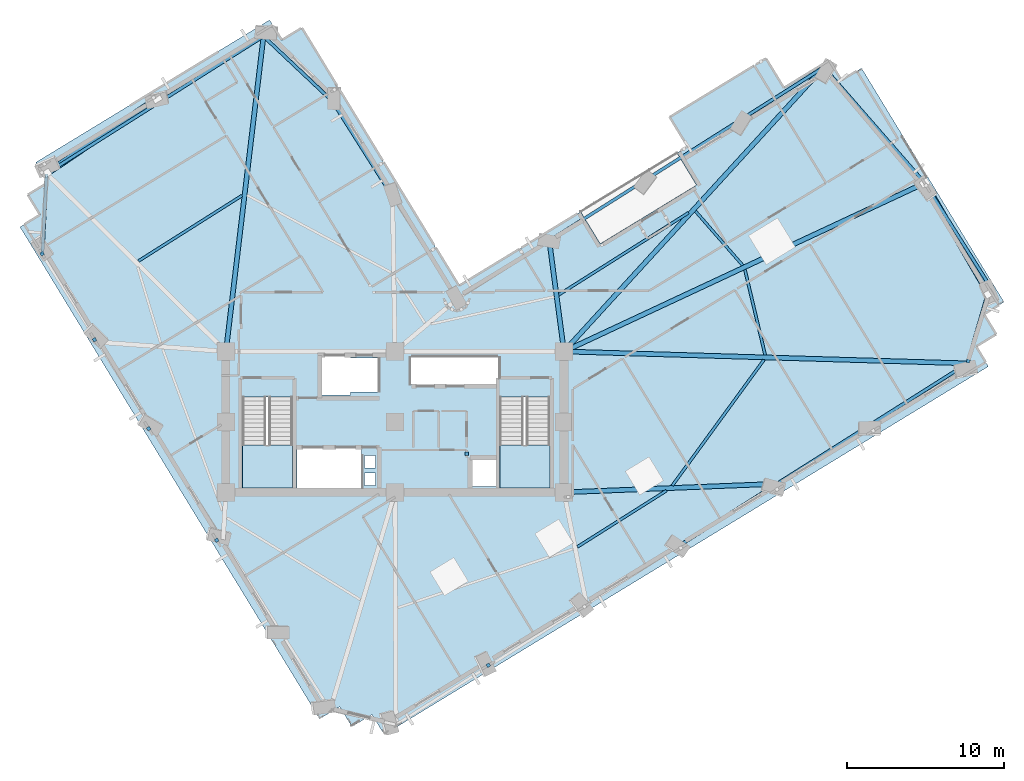
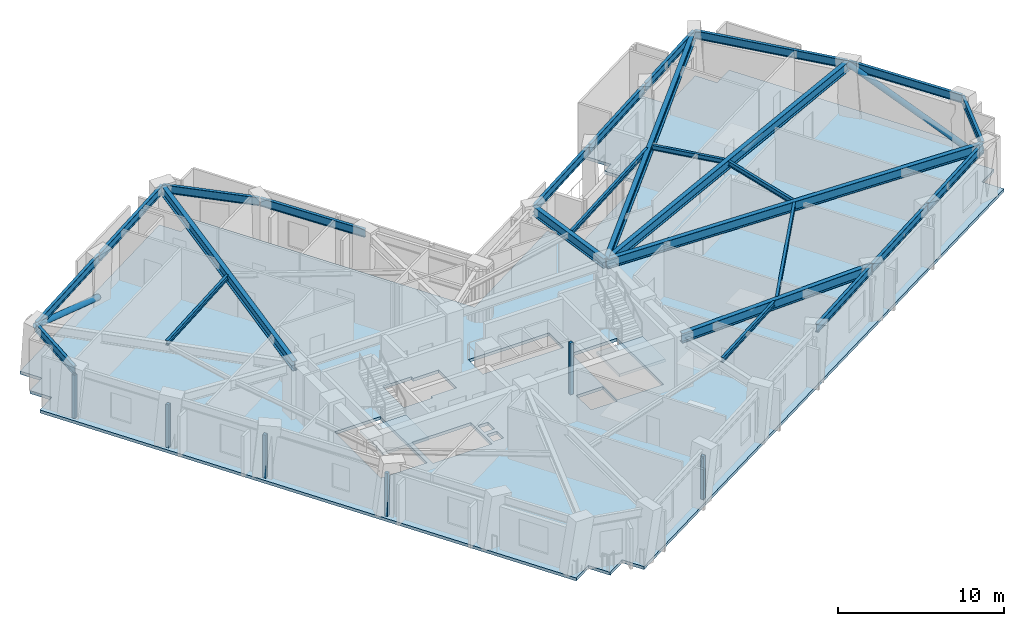
# One storey, part 2 of 14: 26 beams, 6 plates, 3 slabs, 2 members, 2 elements without a shape of their own.
"""IFC4 building model written with IfcOpenShell, lengths in metres."""

from ifc_helpers import new_model, si_unit, direction, frame, origin, origin_2d, place, context, subcontext, project, spatial, polyline, rectangle, hollow_circle, i_section, outline, extrude, material, layer, layer_set, material_profile, profile_set, type_object, element, aggregate, save


model = new_model("IFC4")

# Units and contexts
model_context = context("Model", 3, precision=1e-05, world=origin(), true_north=direction((0.0, 1.0)))
body_context = subcontext(model_context, "Body", "Model", "MODEL_VIEW")
ifc_project = project(units=[si_unit("LENGTHUNIT", "METRE"), si_unit("AREAUNIT", "SQUARE_METRE"), si_unit("VOLUMEUNIT", "CUBIC_METRE"), si_unit("PLANEANGLEUNIT", "RADIAN"), si_unit("MASSUNIT", "GRAM", prefix="KILO")], contexts=[model_context])

# Site, building, storey
site_placement = place(None, origin())
site = spatial("IfcSite", under=ifc_project, at=site_placement, CompositionType="ELEMENT")
building_placement = place(site_placement, origin())
building = spatial("IfcBuilding", under=site, at=building_placement, Name="Gaonmaruhae Medical Tower", CompositionType="ELEMENT")
storey_placement = place(building_placement, frame((0.0, 0.0, 157.800048828125)))
storey = spatial("IfcBuildingStorey", under=building, at=storey_placement, Name="L37", CompositionType="ELEMENT", Elevation=157.800048828125)

# Beams
ifc_material_1 = material(Name="Steel SM355", Category="steel")
ifc_material_profile_1 = material_profile(ifc_material_1, i_section(OverallWidth=0.175048828125, OverallDepth=0.35009765625, WebThickness=0.007080078125, FlangeThickness=0.010986328125, FilletRadius=0.012939453125, at=origin_2d()), Name="H-350x175x7x11")
ifc_profile_set_1 = profile_set([ifc_material_profile_1], Name="Steel SM355")
beam_type_1 = type_object("IfcBeamType", Name="FJ-02 Upper Zone Ward Floor Joist (H-350x175x7x11)", PredefinedType="JOIST", material=ifc_profile_set_1)
beam_1_placement = place(storey_placement, frame((36.459228515625, 4.313720703125, 3.60498046875), z_axis=(0.845255132033, 0.534362949476, 0.0), x_axis=(-0.534362949476, 0.845255132033, 0.0)))
element("IfcBeam", 1, at=beam_1_placement, inside=storey, type_object=beam_type_1, Name="L37 Secondary Floor Joist FJ02", PredefinedType="JOIST", context=body_context, shape_type="SweptSolid", body=[
    extrude(i_section(OverallWidth=0.175048828125, OverallDepth=0.35009765625, WebThickness=0.007080078125, FlangeThickness=0.010986328125, FilletRadius=0.012939453125, at=origin_2d()), origin(), (0.0, 0.0, 1.0), 6.7275390625),
])
beam_2_placement = place(storey_placement, frame((42.5205078125, 8.2314453125, 3.60498046875), z_axis=(0.589120067594, 0.808045509831, 0.0), x_axis=(-0.808045509831, 0.589120067594, 0.0)))
element("IfcBeam", 2, at=beam_2_placement, inside=storey, type_object=beam_type_1, Name="L37 Secondary Floor Joist FJ03", PredefinedType="JOIST", context=body_context, shape_type="SweptSolid", body=[
    extrude(i_section(OverallWidth=0.175048828125, OverallDepth=0.35009765625, WebThickness=0.007080078125, FlangeThickness=0.010986328125, FilletRadius=0.012939453125, at=origin_2d()), origin(), (0.0, 0.0, 1.0), 9.945068359375),
])
beam_3_placement = place(storey_placement, frame((48.452880859375, 16.576416015625, 3.60498046875), z_axis=(-0.230538068003, 0.973063306883, 0.0), x_axis=(-0.973063306883, -0.230538068003, 0.0)))
element("IfcBeam", 3, at=beam_3_placement, inside=storey, type_object=beam_type_1, Name="L37 Secondary Floor Joist FJ04", PredefinedType="JOIST", context=body_context, shape_type="SweptSolid", body=[
    extrude(i_section(OverallWidth=0.175048828125, OverallDepth=0.35009765625, WebThickness=0.007080078125, FlangeThickness=0.010986328125, FilletRadius=0.012939453125, at=origin_2d()), origin(), (0.0, 0.0, 1.0), 5.60107421875),
])
beam_4_placement = place(storey_placement, frame((47.018310546875, 22.3037109375, 3.60498046875), z_axis=(-0.65725688851, 0.753666625576, 0.0), x_axis=(-0.753666625576, -0.65725688851, 0.0)))
element("IfcBeam", 4, at=beam_4_placement, inside=storey, type_object=beam_type_1, Name="L37 Secondary Floor Joist FJ05", PredefinedType="JOIST", context=body_context, shape_type="SweptSolid", body=[
    extrude(i_section(OverallWidth=0.175048828125, OverallDepth=0.35009765625, WebThickness=0.007080078125, FlangeThickness=0.010986328125, FilletRadius=0.012939453125, at=origin_2d()), origin(), (0.0, 0.0, 1.0), 4.588623046875),
])
beam_5_placement = place(storey_placement, frame((43.560546875, 25.666015625, 3.60498046875), z_axis=(-0.845261578306, -0.534352752626, 0.0), x_axis=(0.534352752626, -0.845261578306, 0.0)))
element("IfcBeam", 5, at=beam_5_placement, inside=storey, type_object=beam_type_1, Name="L37 Secondary Floor Joist FJ06", PredefinedType="JOIST", context=body_context, shape_type="SweptSolid", body=[
    extrude(i_section(OverallWidth=0.175048828125, OverallDepth=0.35009765625, WebThickness=0.007080078125, FlangeThickness=0.010986328125, FilletRadius=0.012939453125, at=origin_2d()), origin(), (0.0, 0.0, 1.0), 9.802978515625),
])
beam_6_placement = place(storey_placement, frame((15.03271484375, 26.762939453125, 3.60498046875), z_axis=(-0.845261676098, -0.534352597934, 0.0), x_axis=(0.534352597934, -0.845261676098, 0.0)))
element("IfcBeam", 6, at=beam_6_placement, inside=storey, type_object=beam_type_1, Name="L37 Secondary Floor Joist FJ10", PredefinedType="JOIST", context=body_context, shape_type="SweptSolid", body=[
    extrude(i_section(OverallWidth=0.175048828125, OverallDepth=0.35009765625, WebThickness=0.007080078125, FlangeThickness=0.010986328125, FilletRadius=0.012939453125, at=origin_2d()), origin(), (0.0, 0.0, 1.0), 7.840576171875),
])

# Members
ifc_material_2 = material(Name="Steel SM420", Category="steel")
ifc_material_profile_2 = material_profile(ifc_material_2, hollow_circle(Radius=0.203125, WallThickness=0.0126953125, at=origin_2d()), Name="CHS-406.4x12.7")
ifc_profile_set_2 = profile_set([ifc_material_profile_2], Name="Steel SM420")
member_type = type_object("IfcMemberType", Name="PB-02 Perimeter Solid-Bay Tube Brace Mid (CHS-406.4x12.7)", PredefinedType="BRACE", material=ifc_profile_set_2)
member_1_placement = place(storey_placement, frame((62.750244140625, 20.486083984375, 0.25), z_axis=(-0.465327253219, 0.803074606399, 0.372211934211), x_axis=(-0.865244345334, -0.50135039929, 0.0)))
element("IfcMember", 7, at=member_1_placement, inside=storey, type_object=member_type, Name="L37 Perimeter Tube Solid-Bay Brace E01-E02", PredefinedType="BRACE", context=body_context, shape_type="SweptSolid", body=[
    extrude(hollow_circle(Radius=0.203125, WallThickness=0.0126953125, at=origin_2d()), origin(), (0.0, 0.0, 1.0), 8.812255859375),
])
member_2_placement = place(storey_placement, frame((9.603271484375, 32.9560546875, 0.25), z_axis=(-0.77294949004, -0.523163635135, 0.358955285126), x_axis=(0.560519599811, -0.828141158395, 0.0)))
element("IfcMember", 8, at=member_2_placement, inside=storey, type_object=member_type, Name="L37 Perimeter Tube Solid-Bay Brace N02-N03", PredefinedType="BRACE", context=body_context, shape_type="SweptSolid", body=[
    extrude(hollow_circle(Radius=0.203125, WallThickness=0.0126953125, at=origin_2d()), origin(), (0.0, 0.0, 1.0), 9.1376953125),
])

# Beams
ifc_material_profile_3 = material_profile(ifc_material_2, i_section(OverallWidth=0.300048828125, OverallDepth=0.699951171875, WebThickness=0.012939453125, FlangeThickness=0.02392578125, FilletRadius=0.01806640625, at=origin_2d()), Name="H-700x300x13x24")
ifc_profile_set_3 = profile_set([ifc_material_profile_3], Name="Steel SM420")
beam_type_2 = type_object("IfcBeamType", Name="PG-03 Zone 3 Radial Floor Girder (H-700x300x13x24)", PredefinedType="BEAM", material=ifc_profile_set_3)
beam_7_placement = place(storey_placement, frame((35.64990234375, 7.802001953125, 3.429931640625), z_axis=(0.999201852749, 0.039945681413, 0.0), x_axis=(-0.039945681413, 0.999201852749, 0.0)))
element("IfcBeam", 9, at=beam_7_placement, inside=storey, type_object=beam_type_2, Name="L37 Radial Primary Girder S05", PredefinedType="BEAM", context=body_context, shape_type="SweptSolid", body=[
    extrude(i_section(OverallWidth=0.300048828125, OverallDepth=0.699951171875, WebThickness=0.012939453125, FlangeThickness=0.02392578125, FilletRadius=0.01806640625, at=origin_2d()), origin(), (0.0, 0.0, 1.0), 13.519287109375),
])
beam_8_placement = place(storey_placement, frame((35.64990234375, 16.798583984375, 3.429931640625), z_axis=(0.999564322754, -0.029515498935, 0.0), x_axis=(0.029515498935, 0.999564322754, 0.0)))
element("IfcBeam", 10, at=beam_8_placement, inside=storey, type_object=beam_type_2, Name="L37 Radial Primary Girder S07", PredefinedType="BEAM", context=body_context, shape_type="SweptSolid", body=[
    extrude(i_section(OverallWidth=0.300048828125, OverallDepth=0.699951171875, WebThickness=0.012939453125, FlangeThickness=0.02392578125, FilletRadius=0.01806640625, at=origin_2d()), origin(), (0.0, 0.0, 1.0), 25.691650390625),
])
beam_9_placement = place(storey_placement, frame((35.645263671875, 16.821044921875, 3.429931640625), z_axis=(0.906086379336, 0.423092747731, 0.0), x_axis=(-0.423092747731, 0.906086379336, 0.0)))
element("IfcBeam", 11, at=beam_9_placement, inside=storey, type_object=beam_type_2, Name="L37 Radial Primary Girder E02", PredefinedType="BEAM", context=body_context, shape_type="SweptSolid", body=[
    extrude(i_section(OverallWidth=0.300048828125, OverallDepth=0.699951171875, WebThickness=0.012939453125, FlangeThickness=0.02392578125, FilletRadius=0.01806640625, at=origin_2d()), origin(), (0.0, 0.0, 1.0), 25.3388671875),
])
beam_10_placement = place(storey_placement, frame((35.6337890625, 16.8369140625, 3.429931640625), z_axis=(0.674655068643, 0.738133144056, 0.0), x_axis=(-0.738133144056, 0.674655068643, 0.0)))
element("IfcBeam", 12, at=beam_10_placement, inside=storey, type_object=beam_type_2, Name="L37 Radial Primary Girder E03", PredefinedType="BEAM", context=body_context, shape_type="SweptSolid", body=[
    extrude(i_section(OverallWidth=0.300048828125, OverallDepth=0.699951171875, WebThickness=0.012939453125, FlangeThickness=0.02392578125, FilletRadius=0.01806640625, at=origin_2d()), origin(), (0.0, 0.0, 1.0), 24.503173828125),
])
beam_11_placement = place(storey_placement, frame((35.593505859375, 16.849609375, 3.429931640625), z_axis=(-0.131843187163, 0.991270585662, 0.0), x_axis=(-0.991270585662, -0.131843187163, 0.0)))
element("IfcBeam", 13, at=beam_11_placement, inside=storey, type_object=beam_type_2, Name="L37 Radial Primary Girder EN03", PredefinedType="BEAM", context=body_context, shape_type="SweptSolid", body=[
    extrude(i_section(OverallWidth=0.300048828125, OverallDepth=0.699951171875, WebThickness=0.012939453125, FlangeThickness=0.02392578125, FilletRadius=0.01806640625, at=origin_2d()), origin(), (0.0, 0.0, 1.0), 7.034912109375),
])
beam_12_placement = place(storey_placement, frame((14.005859375, 16.849609375, 3.429931640625), z_axis=(0.118455424581, 0.992959370965, 0.0), x_axis=(-0.992959370965, 0.118455424581, 0.0)))
element("IfcBeam", 14, at=beam_12_placement, inside=storey, type_object=beam_type_2, Name="L37 Radial Primary Girder N01", PredefinedType="BEAM", context=body_context, shape_type="SweptSolid", body=[
    extrude(i_section(OverallWidth=0.300048828125, OverallDepth=0.699951171875, WebThickness=0.012939453125, FlangeThickness=0.02392578125, FilletRadius=0.01806640625, at=origin_2d()), origin(), (0.0, 0.0, 1.0), 20.181640625),
])
ifc_material_profile_4 = material_profile(ifc_material_1, i_section(OverallWidth=0.199951171875, OverallDepth=0.60009765625, WebThickness=0.010986328125, FlangeThickness=0.01708984375, FilletRadius=0.012939453125, at=origin_2d()), Name="H-600x200x11x17")
ifc_profile_set_4 = profile_set([ifc_material_profile_4], Name="Steel SM355")
beam_type_3 = type_object("IfcBeamType", Name="SP-01 Lower Perimeter Spandrel Beam (H-600x200x11x17)", PredefinedType="SPANDREL", material=ifc_profile_set_4)
for number, where, z_axis, x_axis, name in (
    (15, (43.156494140625, 4.51806640625, 3.47998046875), (0.845247632723, 0.534374811698, 0.0), (-0.534374811698, 0.845247632723, 0.0), "L37 Perimeter Spandrel Beam S04-S05"),
    (16, (49.2421875, 8.365478515625, 3.47998046875), (0.845272911286, 0.534334825223, 0.0), (-0.534334825223, 0.845272911286, 0.0), "L37 Perimeter Spandrel Beam S05-S06"),
    (17, (55.328125, 12.212890625, 3.47998046875), (0.845272911286, 0.534334825223, 0.0), (-0.534334825223, 0.845272911286, 0.0), "L37 Perimeter Spandrel Beam S06-S07"),
):
    element("IfcBeam", number, at=place(storey_placement, frame(where, z_axis=z_axis, x_axis=x_axis)), inside=storey, type_object=beam_type_3, Name=name, PredefinedType="SPANDREL", context=body_context, shape_type="SweptSolid", body=[
        extrude(i_section(OverallWidth=0.199951171875, OverallDepth=0.60009765625, WebThickness=0.010986328125, FlangeThickness=0.01708984375, FilletRadius=0.012939453125, at=origin_2d()), origin(), (0.0, 0.0, 1.0), 7.119873046875),
    ])
beam_13_placement = place(storey_placement, frame((61.391357421875, 16.0771484375, 3.47998046875), z_axis=(0.279901731153, 0.96002865629, 0.0), x_axis=(-0.96002865629, 0.279901731153, 0.0)))
element("IfcBeam", 18, at=beam_13_placement, inside=storey, type_object=beam_type_3, Name="L37 Perimeter Spandrel Beam S07-E01", PredefinedType="SPANDREL", context=body_context, shape_type="SweptSolid", body=[
    extrude(i_section(OverallWidth=0.199951171875, OverallDepth=0.60009765625, WebThickness=0.010986328125, FlangeThickness=0.01708984375, FilletRadius=0.012939453125, at=origin_2d()), origin(), (0.0, 0.0, 1.0), 5.056396484375),
])
beam_14_placement = place(storey_placement, frame((62.79638671875, 21.003662109375, 3.47998046875), z_axis=(-0.534358219529, 0.845258122245, 0.0), x_axis=(-0.845258122245, -0.534358219529, 0.0)))
element("IfcBeam", 19, at=beam_14_placement, inside=storey, type_object=beam_type_3, Name="L37 Perimeter Spandrel Beam E01-E02", PredefinedType="SPANDREL", context=body_context, shape_type="SweptSolid", body=[
    extrude(i_section(OverallWidth=0.199951171875, OverallDepth=0.60009765625, WebThickness=0.010986328125, FlangeThickness=0.01708984375, FilletRadius=0.012939453125, at=origin_2d()), origin(), (0.0, 0.0, 1.0), 7.719970703125),
])
beam_15_placement = place(storey_placement, frame((58.62353515625, 27.593017578125, 3.47998046875), z_axis=(-0.657250274698, 0.753672393291, 0.0), x_axis=(-0.753672393291, -0.657250274698, 0.0)))
element("IfcBeam", 20, at=beam_15_placement, inside=storey, type_object=beam_type_3, Name="L37 Perimeter Spandrel Beam E02-E03", PredefinedType="SPANDREL", context=body_context, shape_type="SweptSolid", body=[
    extrude(i_section(OverallWidth=0.199951171875, OverallDepth=0.60009765625, WebThickness=0.010986328125, FlangeThickness=0.01708984375, FilletRadius=0.012939453125, at=origin_2d()), origin(), (0.0, 0.0, 1.0), 9.735595703125),
])
beam_16_placement = place(storey_placement, frame((52.164794921875, 34.93896484375, 3.47998046875), z_axis=(-0.845265841866, -0.534346008289, 0.0), x_axis=(0.534346008289, -0.845265841866, 0.0)))
element("IfcBeam", 21, at=beam_16_placement, inside=storey, type_object=beam_type_3, Name="L37 Perimeter Spandrel Beam E03-EN01", PredefinedType="SPANDREL", context=body_context, shape_type="SweptSolid", body=[
    extrude(i_section(OverallWidth=0.199951171875, OverallDepth=0.60009765625, WebThickness=0.010986328125, FlangeThickness=0.01708984375, FilletRadius=0.012939453125, at=origin_2d()), origin(), (0.0, 0.0, 1.0), 6.27001953125),
])
for number, where, z_axis, x_axis, name in (
    (22, (46.79736328125, 31.5458984375, 3.4599609375), (-0.84526312071, -0.53435031278, 0.0), (0.53435031278, -0.84526312071, 0.0), "L37 Perimeter Spandrel Beam EN01-EN02"),
    (23, (40.711669921875, 27.698486328125, 3.4599609375), (-0.845272911286, -0.534334825223, 0.0), (0.534334825223, -0.845272911286, 0.0), "L37 Perimeter Spandrel Beam EN02-EN03"),
):
    element("IfcBeam", number, at=place(storey_placement, frame(where, z_axis=z_axis, x_axis=x_axis)), inside=storey, type_object=beam_type_3, Name=name, PredefinedType="SPANDREL", context=body_context, shape_type="SweptSolid", body=[
        extrude(i_section(OverallWidth=0.199951171875, OverallDepth=0.60009765625, WebThickness=0.010986328125, FlangeThickness=0.01708984375, FilletRadius=0.012939453125, at=origin_2d()), origin(), (0.0, 0.0, 1.0), 7.119873046875),
    ])
beam_17_placement = place(storey_placement, frame((24.622314453125, 26.743408203125, 3.47998046875), z_axis=(-0.534359323998, 0.845257424017, 0.0), x_axis=(-0.845257424017, -0.534359323998, 0.0)))
element("IfcBeam", 24, at=beam_17_placement, inside=storey, type_object=beam_type_3, Name="L37 Perimeter Spandrel Beam NE01-NE02", PredefinedType="SPANDREL", context=body_context, shape_type="SweptSolid", body=[
    extrude(i_section(OverallWidth=0.199951171875, OverallDepth=0.60009765625, WebThickness=0.010986328125, FlangeThickness=0.01708984375, FilletRadius=0.012939453125, at=origin_2d()), origin(), (0.0, 0.0, 1.0), 7.1201171875),
])
beam_18_placement = place(storey_placement, frame((20.767333984375, 32.822998046875, 3.47998046875), z_axis=(-0.727552597578, 0.686051906022, 0.0), x_axis=(-0.686051906022, -0.727552597578, 0.0)))
element("IfcBeam", 25, at=beam_18_placement, inside=storey, type_object=beam_type_3, Name="L37 Perimeter Spandrel Beam NE02-N01", PredefinedType="SPANDREL", context=body_context, shape_type="SweptSolid", body=[
    extrude(i_section(OverallWidth=0.199951171875, OverallDepth=0.60009765625, WebThickness=0.010986328125, FlangeThickness=0.01708984375, FilletRadius=0.012939453125, at=origin_2d()), origin(), (0.0, 0.0, 1.0), 5.959228515625),
])
beam_19_placement = place(storey_placement, frame((16.36865234375, 36.91748046875, 3.47998046875), z_axis=(-0.845252338688, -0.534367367962, 0.0), x_axis=(0.534367367962, -0.845252338688, 0.0)))
element("IfcBeam", 26, at=beam_19_placement, inside=storey, type_object=beam_type_3, Name="L37 Perimeter Spandrel Beam N01-N02", PredefinedType="SPANDREL", context=body_context, shape_type="SweptSolid", body=[
    extrude(i_section(OverallWidth=0.199951171875, OverallDepth=0.60009765625, WebThickness=0.010986328125, FlangeThickness=0.01708984375, FilletRadius=0.012939453125, at=origin_2d()), origin(), (0.0, 0.0, 1.0), 8.1201171875),
])
beam_20_placement = place(storey_placement, frame((9.4375, 32.53564453125, 3.47998046875), z_axis=(-0.845265918813, -0.53434588657, 0.0), x_axis=(0.53434588657, -0.845265918813, 0.0)))
element("IfcBeam", 27, at=beam_20_placement, inside=storey, type_object=beam_type_3, Name="L37 Perimeter Spandrel Beam N02-N03", PredefinedType="SPANDREL", context=body_context, shape_type="SweptSolid", body=[
    extrude(i_section(OverallWidth=0.199951171875, OverallDepth=0.60009765625, WebThickness=0.010986328125, FlangeThickness=0.01708984375, FilletRadius=0.012939453125, at=origin_2d()), origin(), (0.0, 0.0, 1.0), 8.119873046875),
])
beam_21_placement = place(storey_placement, frame((2.5380859375, 28.135498046875, 3.47998046875), z_axis=(-0.050905136763, -0.99870349306, 0.0), x_axis=(0.99870349306, -0.050905136763, 0.0)))
element("IfcBeam", 28, at=beam_21_placement, inside=storey, type_object=beam_type_3, Name="L37 Perimeter Spandrel Beam N03-W01", PredefinedType="SPANDREL", context=body_context, shape_type="SweptSolid", body=[
    extrude(i_section(OverallWidth=0.199951171875, OverallDepth=0.60009765625, WebThickness=0.010986328125, FlangeThickness=0.01708984375, FilletRadius=0.012939453125, at=origin_2d()), origin(), (0.0, 0.0, 1.0), 5.1220703125),
])

# Slab
ifc_material_3 = material(Name="Concrete C40/50", Category="concrete")
ifc_layer_1 = layer(ifc_material_3, 0.219970703125)
ifc_layer_set_1 = layer_set([ifc_layer_1], Name="Concrete C40/50")
slab_type_1 = type_object("IfcSlabType", Name="FS-220 Clinical Ward Composite Floor Slab", PredefinedType="FLOOR", material=ifc_layer_set_1)
slab_1_placement = place(storey_placement, frame((0.0, 0.0, -0.219970703125)))
element("IfcSlab", 29, at=slab_1_placement, inside=storey, type_object=slab_type_1, Name="L37 Structural Slab 1", PredefinedType="FLOOR", context=body_context, shape_type="SweptSolid", body=[
    extrude(outline(polyline([(53.32861328125, 34.12548828125), (54.609619140625, 34.906005859375), (63.714111328125, 19.960693359375), (62.43310546875, 19.180419921875), (63.21337890625, 17.8994140625), (61.9326171875, 17.118896484375), (62.712890625, 15.837890625), (24.11181640625, -7.677978515625), (23.33154296875, -6.39697265625), (22.050537109375, -7.17724609375), (21.27001953125, -5.896240234375), (19.989013671875, -6.6767578125), (0.843505859375, 24.750732421875), (2.12451171875, 25.531005859375), (1.343994140625, 26.81201171875), (2.625, 27.592529296875), (1.844482421875, 28.87353515625), (16.789794921875, 37.97802734375), (17.570068359375, 36.697021484375), (18.85107421875, 37.4775390625), (28.89208984375, 20.9951171875), (36.668701171875, 25.732666015625), (37.91748046875, 23.68310546875), (44.066162109375, 27.428955078125), (42.817626953125, 29.478515625), (43.500732421875, 29.89501953125), (42.356201171875, 31.773681640625), (48.5048828125, 35.51953125), (49.649658203125, 33.640869140625), (52.548095703125, 35.406494140625), (53.32861328125, 34.12548828125)]), holes=[polyline([(23.550048828125, 8.25), (22.85009765625, 8.25), (22.85009765625, 9.050048828125), (23.550048828125, 9.050048828125), (23.550048828125, 8.25)]), polyline([(31.425048828125, 9.925048828125), (31.425048828125, 8.175048828125), (29.574951171875, 8.175048828125), (29.574951171875, 9.925048828125), (31.425048828125, 9.925048828125)]), polyline([(22.64990234375, 10.625), (22.64990234375, 8.074951171875), (18.550048828125, 8.074951171875), (18.550048828125, 10.625), (22.64990234375, 10.625)]), polyline([(23.550048828125, 9.35009765625), (22.85009765625, 9.35009765625), (22.85009765625, 10.14990234375), (23.550048828125, 10.14990234375), (23.550048828125, 9.35009765625)]), polyline([(15.050048828125, 13.889892578125), (18.25, 13.889892578125), (18.25, 8.300048828125), (15.050048828125, 8.300048828125), (15.050048828125, 13.889892578125)]), polyline([(31.5, 13.889892578125), (34.699951171875, 13.889892578125), (34.699951171875, 8.300048828125), (31.5, 8.300048828125), (31.5, 13.889892578125)]), polyline([(21.949951171875, 14.22509765625), (21.949951171875, 14.02490234375), (19.949951171875, 14.02490234375), (19.949951171875, 16.574951171875), (21.949951171875, 16.574951171875), (21.949951171875, 16.375), (23.72509765625, 16.375), (23.72509765625, 14.22509765625), (21.949951171875, 14.22509765625)]), polyline([(31.425048828125, 16.425048828125), (31.425048828125, 14.675048828125), (25.824951171875, 14.675048828125), (25.824951171875, 16.425048828125), (31.425048828125, 16.425048828125)])]), origin(), (0.0, 0.0, 1.0), 0.219970703125),
])

# Plates
ifc_material_4 = material(Name="Anodised aluminium 6063-T6", Category="aluminium")
ifc_layer_2 = layer(ifc_material_4, 0.011962890625)
ifc_layer_set_2 = layer_set([ifc_layer_2], Name="Anodised aluminium 6063-T6")
plate_type = type_object("IfcPlateType", Name="PP-01 Interior Partition Corner Stiffener Plate", PredefinedType="SHEET", material=ifc_layer_set_2)
plate_placement = place(storey_placement, frame((29.3798828125, 10.260009765625, 0.0), z_axis=(0.0, 0.0, 1.0), x_axis=(0.0, -1.0, 0.0)))
element("IfcPlate", 30, at=plate_placement, inside=storey, type_object=plate_type, Name="L37 Partition Corner Stiffener Plate PLT-L37-JGP-PW002", PredefinedType="SHEET", context=body_context, shape_type="SweptSolid", body=[
    extrude(rectangle(XDim=0.219970703125, YDim=0.219970703125, at=origin_2d()), origin(), (0.0, 0.0, 1.0), 3.780029296875),
])
for number, where, z_axis, x_axis, name in (
    (31, (30.765380859375, -3.25048828125, 0.0), (0.0, 0.0, 1.0), (-0.854141314563, -0.520040974113, 0.0), "L37 Partition Corner Stiffener Plate PLT-L37-JGP-PW008"),
    (32, (13.408447265625, 4.739013671875, 0.0), (0.0, 0.0, 1.0), (-0.520294380048, 0.853986977705, 0.0), "L37 Partition Corner Stiffener Plate PLT-L37-JGP-PW035"),
    (33, (9.06494140625, 11.8701171875, 0.0), (0.0, 0.0, 1.0), (-0.519817342621, 0.854277431699, 0.0), "L37 Partition Corner Stiffener Plate PLT-L37-JGP-PW040"),
    (34, (5.60546875, 17.548583984375, 0.0), (0.0, 0.0, 1.0), (-0.520175135901, 0.854059616181, 0.0), "L37 Partition Corner Stiffener Plate PLT-L37-JGP-PW046"),
    (35, (2.257080078125, 23.044921875, 0.0), (0.0, 0.0, 1.0), (-0.520040974113, 0.854141314563, 0.0), "L37 Partition Corner Stiffener Plate PLT-L37-JGP-PW047"),
):
    element("IfcPlate", number, at=place(storey_placement, frame(where, z_axis=z_axis, x_axis=x_axis)), inside=storey, type_object=plate_type, Name=name, PredefinedType="SHEET", context=body_context, shape_type="SweptSolid", body=[
        extrude(rectangle(XDim=0.219970703125, YDim=0.219970703125, at=origin_2d()), origin(), (0.0, 0.0, 1.0), 3.1650390625),
    ])

# Stair, slab
stair_type = type_object("IfcStairType", Name="ST-T1 Primary Core Escape Dogleg Stair", PredefinedType="TWO_QUARTER_TURN_STAIR", material=ifc_material_3)
stair_1_placement = place(storey_placement, origin())
stair_1 = element("IfcStair", 36, at=stair_1_placement, inside=storey, type_object=stair_type, Name="L37 Protected Escape Stair ST-01", PredefinedType="TWO_QUARTER_TURN_STAIR")
ifc_layer_3 = layer(ifc_material_3, 0.199951171875)
ifc_layer_set_3 = layer_set([ifc_layer_3], Name="Concrete C40/50")
slab_type_2 = type_object("IfcSlabType", Name="SL-200 Stair & Ramp Intermediate Concrete Landing", PredefinedType="LANDING", material=ifc_layer_set_3)
slab_2_placement = place(storey_placement, frame((0.0, 0.0, 1.800048828125)))
slab_2 = element("IfcSlab", 37, at=slab_2_placement, type_object=slab_type_2, Name="ST-01 landing 1", PredefinedType="LANDING", context=body_context, shape_type="SweptSolid", body=[
    extrude(outline(polyline([(15.050048828125, 10.820068359375), (15.050048828125, 8.0791015625), (18.25, 8.0791015625), (18.25, 10.820068359375), (15.050048828125, 10.820068359375)])), origin(), (0.0, 0.0, 1.0), 0.199951171875),
])
aggregate(stair_1, [slab_2])

stair_2_placement = place(storey_placement, origin())
stair_2 = element("IfcStair", 38, at=stair_2_placement, inside=storey, type_object=stair_type, Name="L37 Protected Escape Stair ST-02", PredefinedType="TWO_QUARTER_TURN_STAIR")
slab_3_placement = place(storey_placement, frame((0.0, 0.0, 1.800048828125)))
slab_3 = element("IfcSlab", 39, at=slab_3_placement, type_object=slab_type_2, Name="ST-02 landing 1", PredefinedType="LANDING", context=body_context, shape_type="SweptSolid", body=[
    extrude(outline(polyline([(31.5, 10.820068359375), (31.5, 8.0791015625), (34.699951171875, 8.0791015625), (34.699951171875, 10.820068359375), (31.5, 10.820068359375)])), origin(), (0.0, 0.0, 1.0), 0.199951171875),
])
aggregate(stair_2, [slab_3])

save(model, "model.ifc")
